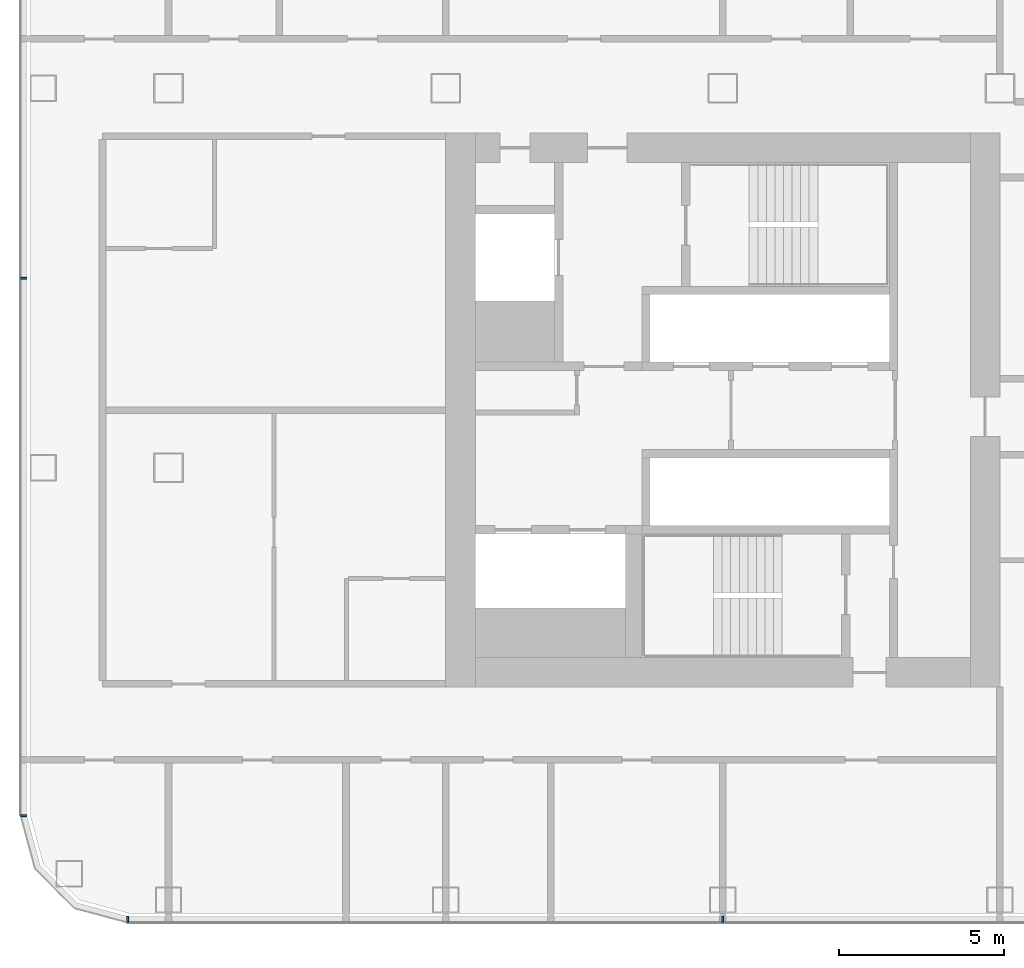
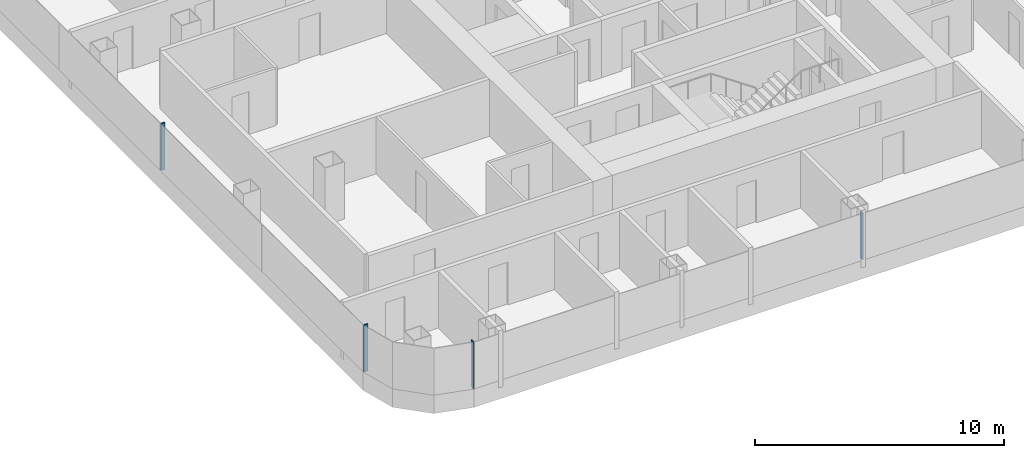
# One storey, part 2 of 29: 4 members, 2 elements without a shape of their own.
"""IFC4 building model written with IfcOpenShell, lengths in metres."""

from ifc_helpers import new_model, si_unit, direction, frame, origin, origin_2d, place, context, subcontext, project, spatial, rectangle, extrude, material, layer, layer_set, material_profile, profile_set, type_object, element, aggregate, save


model = new_model("IFC4")

# Units and contexts
model_context = context("Model", 3, precision=1e-05, world=origin(), true_north=direction((0.0, 1.0)))
body_context = subcontext(model_context, "Body", "Model", "MODEL_VIEW")
ifc_project = project(units=[si_unit("LENGTHUNIT", "METRE"), si_unit("AREAUNIT", "SQUARE_METRE"), si_unit("VOLUMEUNIT", "CUBIC_METRE"), si_unit("PLANEANGLEUNIT", "RADIAN"), si_unit("MASSUNIT", "GRAM", prefix="KILO")], contexts=[model_context])

# Site, building, storey
site_placement = place(None, origin())
site = spatial("IfcSite", under=ifc_project, at=site_placement, CompositionType="ELEMENT")
building_placement = place(site_placement, origin())
building = spatial("IfcBuilding", under=site, at=building_placement, Name="Hakoniwa Tower and Hamabe Station Hall", CompositionType="ELEMENT")
storey_placement = place(building_placement, frame((0.0, 0.0, 104.199951171875)))
storey = spatial("IfcBuildingStorey", under=building, at=storey_placement, Name="L29", CompositionType="ELEMENT", Elevation=104.199951171875)

# Curtain wall, members
ifc_material_1 = material(Name="Dark low-e laminated glass", Category="glass")
ifc_layer = layer(ifc_material_1, 0.199951171875)
ifc_layer_set = layer_set([ifc_layer], Name="CW-1 UNITISED GUEST")
curtain_wall_type = type_object("IfcCurtainWallType", Name="CW-1 UNITISED GUEST", PredefinedType="NOTDEFINED", material=ifc_layer_set)
curtain_wall_1_placement = place(storey_placement, origin())
curtain_wall_1 = element("IfcCurtainWall", 1, at=curtain_wall_1_placement, inside=storey, type_object=curtain_wall_type, Name="CW-1 curtain wall", PredefinedType="NOTDEFINED")
ifc_material_2 = material(Name="Aluminium 6063-T5 black anodised", Category="aluminium")
ifc_material_profile = material_profile(ifc_material_2, rectangle(XDim=0.06005859375, YDim=0.179931640625, at=origin_2d()), Name="CW-1 MULLION 60X180")
ifc_profile_set = profile_set([ifc_material_profile], Name="Aluminium 6063-T5 black anodised")
member_type = type_object("IfcMemberType", Name="CW-1 MULLION 60X180", PredefinedType="MULLION", material=ifc_profile_set)
member_1_placement = place(storey_placement, frame((-46.382080078125, 4.0, 0.35009765625), z_axis=(0.0, 0.0, 1.0), x_axis=(0.0, -1.0, 0.0)))
member_1 = element("IfcMember", 2, at=member_1_placement, type_object=member_type, Name="CW-1 mullion", PredefinedType="MULLION", context=body_context, shape_type="SweptSolid", body=[
    extrude(rectangle(XDim=0.06005859375, YDim=0.179931640625, at=origin_2d()), origin(), (0.0, 0.0, 1.0), 2.300048828125),
])
member_2_placement = place(storey_placement, frame((-46.382080078125, -12.28955078125, 0.35009765625), z_axis=(0.0, 0.0, 1.0), x_axis=(0.0, -1.0, 0.0)))
member_2 = element("IfcMember", 3, at=member_2_placement, type_object=member_type, Name="CW-1 mullion", PredefinedType="MULLION", context=body_context, shape_type="SweptSolid", body=[
    extrude(rectangle(XDim=0.06005859375, YDim=0.179931640625, at=origin_2d()), origin(), (0.0, 0.0, 1.0), 2.300048828125),
])
aggregate(curtain_wall_1, [member_1, member_2])

curtain_wall_2_placement = place(storey_placement, origin())
curtain_wall_2 = element("IfcCurtainWall", 4, at=curtain_wall_2_placement, inside=storey, type_object=curtain_wall_type, Name="CW-1 curtain wall", PredefinedType="NOTDEFINED")
member_3_placement = place(storey_placement, frame((-43.239501953125, -15.431884765625, 0.35009765625), z_axis=(0.0, 0.0, 1.0), x_axis=(1.0, 0.0, 0.0)))
member_3 = element("IfcMember", 5, at=member_3_placement, type_object=member_type, Name="CW-1 mullion", PredefinedType="MULLION", context=body_context, shape_type="SweptSolid", body=[
    extrude(rectangle(XDim=0.06005859375, YDim=0.179931640625, at=origin_2d()), origin(), (0.0, 0.0, 1.0), 2.300048828125),
])
member_4_placement = place(storey_placement, frame((-25.199951171875, -15.431884765625, 0.35009765625), z_axis=(0.0, 0.0, 1.0), x_axis=(1.0, 0.0, 0.0)))
member_4 = element("IfcMember", 6, at=member_4_placement, type_object=member_type, Name="CW-1 mullion", PredefinedType="MULLION", context=body_context, shape_type="SweptSolid", body=[
    extrude(rectangle(XDim=0.06005859375, YDim=0.179931640625, at=origin_2d()), origin(), (0.0, 0.0, 1.0), 2.300048828125),
])
aggregate(curtain_wall_2, [member_3, member_4])

save(model, "model.ifc")
